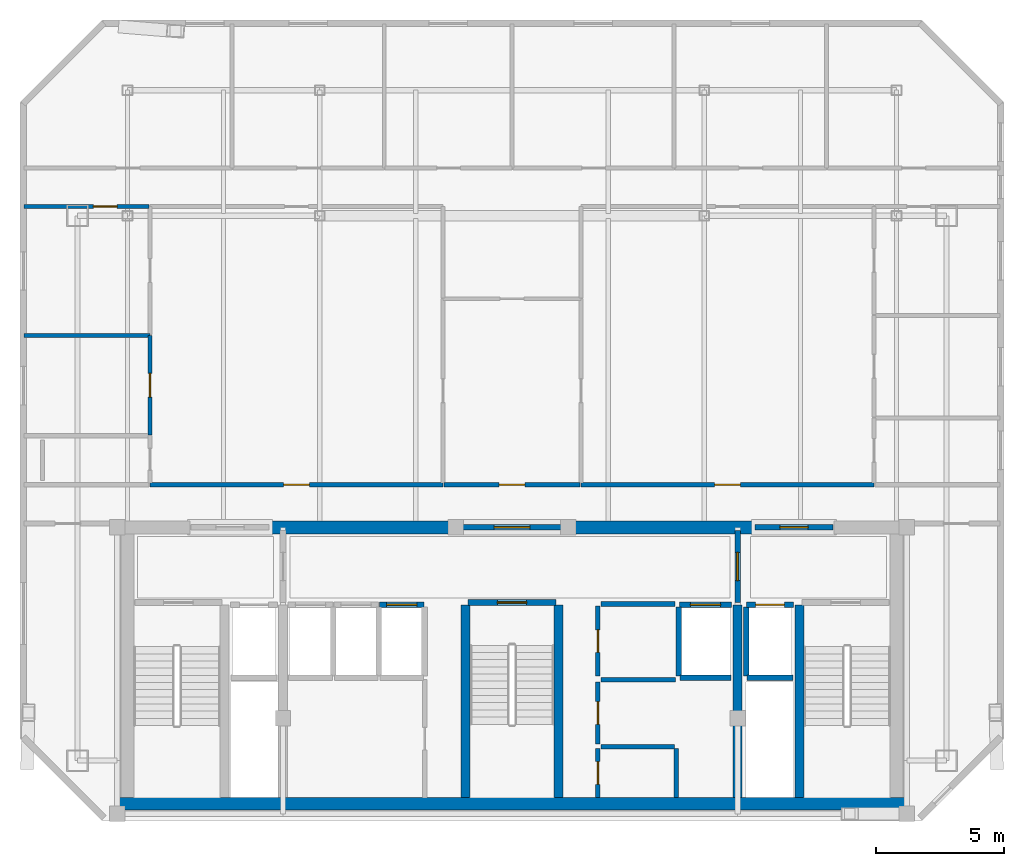
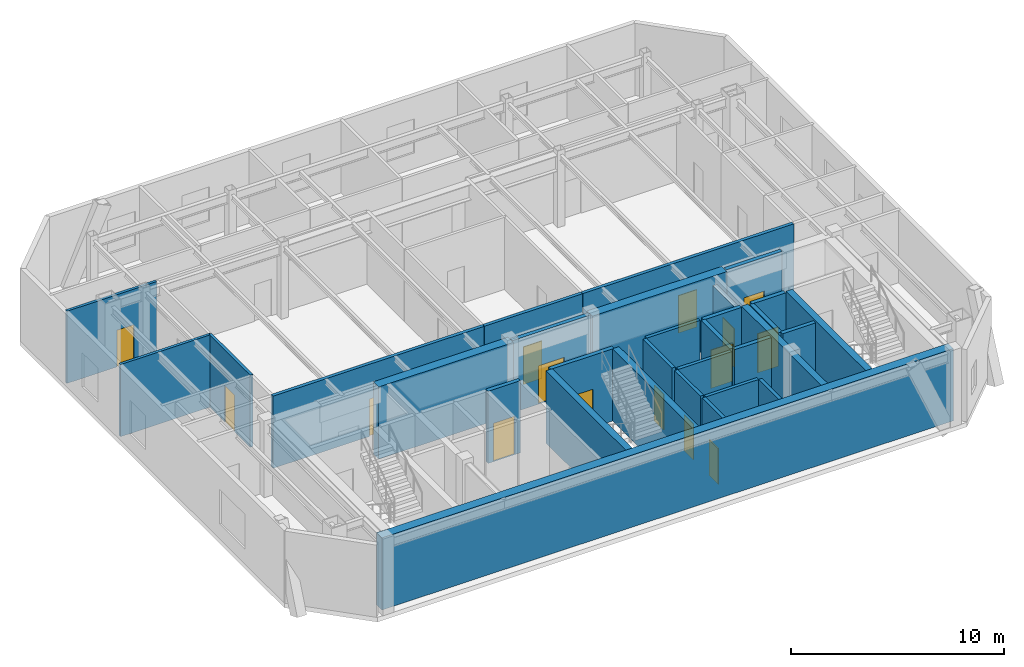
# One storey, part 3 of 6: 31 walls, 15 doors, 15 openings.
"""IFC4 building model written with IfcOpenShell, lengths in metres."""

from ifc_helpers import new_model, si_unit, direction, frame, frame_2d, origin, place, context, subcontext, project, spatial, rectangle, extrude, material, layer, layer_set, type_object, element, fill, save


model = new_model("IFC4")

# Units and contexts
model_context = context("Model", 3, precision=1e-05, world=origin(), true_north=direction((0.0, 1.0)))
body_context = subcontext(model_context, "Body", "Model", "MODEL_VIEW")
ifc_project = project(units=[si_unit("LENGTHUNIT", "METRE"), si_unit("AREAUNIT", "SQUARE_METRE"), si_unit("VOLUMEUNIT", "CUBIC_METRE"), si_unit("PLANEANGLEUNIT", "RADIAN"), si_unit("MASSUNIT", "GRAM", prefix="KILO")], contexts=[model_context])

# Site, building, storey
site_placement = place(None, origin())
site = spatial("IfcSite", under=ifc_project, at=site_placement, CompositionType="ELEMENT")
building_placement = place(site_placement, origin())
building = spatial("IfcBuilding", under=site, at=building_placement, Name="Ventersveld Concourse Tower", CompositionType="ELEMENT")
storey_placement = place(building_placement, frame((0.0, 0.0, 349.050048828125)))
storey = spatial("IfcBuildingStorey", under=building, at=storey_placement, Name="L86", CompositionType="ELEMENT", Elevation=349.050048828125)

# Walls
ifc_material_1 = material(Name="Concrete C50/60", Category="concrete")
ifc_layer_1 = layer(ifc_material_1, 0.35009765625)
ifc_layer_set_1 = layer_set([ifc_layer_1], Name="Concrete C50/60")
wall_type_1 = type_object("IfcWallType", Name="WL-CORE-350U", PredefinedType="SHEAR", material=ifc_layer_set_1)
for number, where, z_axis, x_axis, name in (
    (1, (26.93994140625, 0.919921875, 0.0), (0.0, 0.0, 1.0), (0.0, 1.0, 0.0), "L86 Core Internal Shear Web W-ST3-W"),
    (2, (30.56005859375, 0.919921875, 0.0), (0.0, 0.0, 1.0), (0.0, 1.0, 0.0), "L86 Core Internal Shear Web W-ST3-E"),
    (3, (37.550048828125, 0.919921875, 0.0), (0.0, 0.0, 1.0), (0.0, 1.0, 0.0), "L86 Core Internal Shear Web W-SVL-W"),
    (4, (39.9599609375, 0.919921875, 0.0), (0.0, 0.0, 1.0), (0.0, 1.0, 0.0), "L86 Core Internal Shear Web W-ST2-W"),
):
    element("IfcWall", number, at=place(storey_placement, frame(where, z_axis=z_axis, x_axis=x_axis)), inside=storey, type_object=wall_type_1, Name=name, PredefinedType="SHEAR", context=body_context, shape_type="SweptSolid", body=[
        extrude(rectangle(XDim=7.5, YDim=0.35009765625, at=frame_2d((3.75, 0.0))), origin(), (0.0, 0.0, 1.0), 4.139892578125),
    ])
ifc_layer_2 = layer(ifc_material_1, 0.5)
ifc_layer_set_2 = layer_set([ifc_layer_2], Name="Concrete C50/60")
wall_type_2 = type_object("IfcWallType", Name="WL-CORE-500", PredefinedType="SHEAR", material=ifc_layer_set_2)
wall_1_placement = place(storey_placement, frame((13.25, 0.669921875, 0.0), z_axis=(0.0, 0.0, 1.0), x_axis=(1.0, 0.0, 0.0)))
element("IfcWall", 5, at=wall_1_placement, inside=storey, type_object=wall_type_2, Name="L86 Rear Core South Shear Wall", PredefinedType="SHEAR", context=body_context, shape_type="SweptSolid", body=[
    extrude(rectangle(XDim=31.0, YDim=0.5, at=frame_2d((15.5, 0.0))), origin(), (0.0, 0.0, 1.0), 4.139892578125),
])
for number, where, z_axis, x_axis, name in (
    (6, (19.300048828125, 11.449951171875, 0.0), (0.0, 0.0, 1.0), (1.0, 0.0, 0.0), "L86 Rear Core North Shear Wall NML"),
    (7, (30.89990234375, 11.449951171875, 0.0), (0.0, 0.0, 1.0), (1.0, 0.0, 0.0), "L86 Rear Core North Shear Wall NMR"),
):
    element("IfcWall", number, at=place(storey_placement, frame(where, z_axis=z_axis, x_axis=x_axis)), inside=storey, type_object=wall_type_2, Name=name, PredefinedType="SHEAR", context=body_context, shape_type="SweptSolid", body=[
        extrude(rectangle(XDim=7.300048828125, YDim=0.5, at=frame_2d((3.64990234375, 0.0))), origin(), (0.0, 0.0, 1.0), 4.139892578125),
    ])

# Wall, opening, door
ifc_material_2 = material(Name="Fire-rated autoclaved aerated masonry blockwork", Category="masonry")
ifc_layer_3 = layer(ifc_material_2, 0.179931640625)
ifc_layer_set_3 = layer_set([ifc_layer_3], Name="Fire-rated autoclaved aerated masonry blockwork")
wall_type_3 = type_object("IfcWallType", Name="WL-CORR-180", PredefinedType="PARTITIONING", material=ifc_layer_set_3)
wall_2_placement = place(storey_placement, frame((32.10009765625, 0.919921875, 0.0), z_axis=(0.0, 0.0, 1.0), x_axis=(0.0, 1.0, 0.0)))
wall_2 = element("IfcWall", 8, at=wall_2_placement, inside=storey, type_object=wall_type_3, Name="L86 Core Passage Wall SP-L86-RECB2S", PredefinedType="PARTITIONING", context=body_context, shape_type="SweptSolid", body=[
    extrude(rectangle(XDim=1.900146484375, YDim=0.179931640625, at=frame_2d((0.9501953125, 0.0))), origin(), (0.0, 0.0, 1.0), 4.139892578125),
])
opening_1_placement = place(wall_2_placement, frame((0.510009765625, 0.0, 0.0)))
opening_1 = element("IfcOpeningElement", 9, at=opening_1_placement, cuts=wall_2, Name="Opening FD5", PredefinedType="OPENING", context=body_context, shape_type="SweptSolid", body=[
    extrude(rectangle(XDim=0.8798828125, YDim=2.050048828125, at=frame_2d((0.43994140625, 1.02490234375))), frame((0.0, 0.10009765625, 0.0), z_axis=(0.0, -1.0, 0.0), x_axis=(1.0, 0.0, 0.0)), (0.0, 0.0, 1.0), 0.199951171875),
])
ifc_material_3 = material(Name="Galvanised painted steel", Category="steel")
door_type_1 = type_object("IfcDoorType", Name="DR-RISER-088", OperationType="NOTDEFINED", PredefinedType="DOOR", material=ifc_material_3)
door_1_placement = place(opening_1_placement, origin())
door_1 = element("IfcDoor", 10, at=door_1_placement, inside=storey, type_object=door_type_1, Name="L86 Core Room Door L86 Reclaimed Core Archive Store (CD-L86-3837)", OperationType="SINGLE_SWING_RIGHT", OverallHeight=2.050048828125, OverallWidth=0.8798828125, PredefinedType="DOOR", context=body_context, shape_type="SweptSolid", body=[
    extrude(rectangle(XDim=0.8798828125, YDim=2.050048828125, at=frame_2d((0.43994140625, 1.02490234375))), frame((0.0, 0.02490234375, 0.0), z_axis=(0.0, -1.0, 0.0), x_axis=(1.0, 0.0, 0.0)), (0.0, 0.0, 1.0), 0.050048828125),
])
fill(opening_1, door_1)

# Walls
wall_3_placement = place(storey_placement, frame((32.219970703125, 2.89990234375, 0.0), z_axis=(0.0, 0.0, 1.0), x_axis=(1.0, 0.0, 0.0)))
element("IfcWall", 11, at=wall_3_placement, inside=storey, type_object=wall_type_3, Name="L86 Core Top Wall SP-L86-RECB2S", PredefinedType="PARTITIONING", context=body_context, shape_type="SweptSolid", body=[
    extrude(rectangle(XDim=2.860107421875, YDim=0.179931640625, at=frame_2d((1.43017578125, 0.0))), origin(), (0.0, 0.0, 1.0), 4.139892578125),
])
wall_4_placement = place(storey_placement, frame((35.159912109375, 0.919921875, 0.0), z_axis=(0.0, 0.0, 1.0), x_axis=(0.0, 1.0, 0.0)))
element("IfcWall", 12, at=wall_4_placement, inside=storey, type_object=wall_type_3, Name="L86 Core East Wall SP-L86-RECB2S", PredefinedType="PARTITIONING", context=body_context, shape_type="SweptSolid", body=[
    extrude(rectangle(XDim=1.900146484375, YDim=0.179931640625, at=frame_2d((0.9501953125, 0.0))), origin(), (0.0, 0.0, 1.0), 4.139892578125),
])

# Wall, opening, door
wall_5_placement = place(storey_placement, frame((32.10009765625, 3.0, 0.0), z_axis=(0.0, 0.0, 1.0), x_axis=(0.0, 1.0, 0.0)))
wall_5 = element("IfcWall", 13, at=wall_5_placement, inside=storey, type_object=wall_type_3, Name="L86 Core Passage Wall SP-L86-RECB2N", PredefinedType="PARTITIONING", context=body_context, shape_type="SweptSolid", body=[
    extrude(rectangle(XDim=2.419921875, YDim=0.179931640625, at=frame_2d((1.2099609375, 0.0))), origin(), (0.0, 0.0, 1.0), 4.139892578125),
])
opening_2_placement = place(wall_5_placement, frame((0.77001953125, 0.0, 0.0)))
opening_2 = element("IfcOpeningElement", 14, at=opening_2_placement, cuts=wall_5, Name="Opening FD5", PredefinedType="OPENING", context=body_context, shape_type="SweptSolid", body=[
    extrude(rectangle(XDim=0.8798828125, YDim=2.050048828125, at=frame_2d((0.43994140625, 1.02490234375))), frame((0.0, 0.10009765625, 0.0), z_axis=(0.0, -1.0, 0.0), x_axis=(1.0, 0.0, 0.0)), (0.0, 0.0, 1.0), 0.199951171875),
])
door_2_placement = place(opening_2_placement, origin())
door_2 = element("IfcDoor", 15, at=door_2_placement, inside=storey, type_object=door_type_1, Name="L86 Core Room Door L86 Reclaimed Core Housekeeping Room (CD-L86-3838)", OperationType="SINGLE_SWING_LEFT", OverallHeight=2.050048828125, OverallWidth=0.8798828125, PredefinedType="DOOR", context=body_context, shape_type="SweptSolid", body=[
    extrude(rectangle(XDim=0.8798828125, YDim=2.050048828125, at=frame_2d((0.43994140625, 1.02490234375))), frame((0.0, 0.02490234375, 0.0), z_axis=(0.0, -1.0, 0.0), x_axis=(1.0, 0.0, 0.0)), (0.0, 0.0, 1.0), 0.050048828125),
])
fill(opening_2, door_2)

# Wall
wall_6_placement = place(storey_placement, frame((32.219970703125, 5.5, 0.0), z_axis=(0.0, 0.0, 1.0), x_axis=(1.0, 0.0, 0.0)))
element("IfcWall", 16, at=wall_6_placement, inside=storey, type_object=wall_type_3, Name="L86 Core Top Wall SP-L86-RECB2N", PredefinedType="PARTITIONING", context=body_context, shape_type="SweptSolid", body=[
    extrude(rectangle(XDim=2.900146484375, YDim=0.179931640625, at=frame_2d((1.4501953125, 0.0))), origin(), (0.0, 0.0, 1.0), 4.139892578125),
])

# Wall, opening, door
wall_7_placement = place(storey_placement, frame((32.10009765625, 5.64990234375, 0.0), z_axis=(0.0, 0.0, 1.0), x_axis=(0.0, 1.0, 0.0)))
wall_7 = element("IfcWall", 17, at=wall_7_placement, inside=storey, type_object=wall_type_3, Name="L86 Core Passage Wall SP-L86-CBAY1", PredefinedType="PARTITIONING", context=body_context, shape_type="SweptSolid", body=[
    extrude(rectangle(XDim=2.72998046875, YDim=0.179931640625, at=frame_2d((1.364990234375, 0.0))), origin(), (0.0, 0.0, 1.0), 4.139892578125),
])
opening_3_placement = place(wall_7_placement, frame((0.925048828125, 0.0, 0.0)))
opening_3 = element("IfcOpeningElement", 18, at=opening_3_placement, cuts=wall_7, Name="Opening FD5", PredefinedType="OPENING", context=body_context, shape_type="SweptSolid", body=[
    extrude(rectangle(XDim=0.8798828125, YDim=2.050048828125, at=frame_2d((0.43994140625, 1.02490234375))), frame((0.0, 0.10009765625, 0.0), z_axis=(0.0, -1.0, 0.0), x_axis=(1.0, 0.0, 0.0)), (0.0, 0.0, 1.0), 0.199951171875),
])
door_3_placement = place(opening_3_placement, origin())
door_3 = element("IfcDoor", 19, at=door_3_placement, inside=storey, type_object=door_type_1, Name="L86 Core Room Door L86 Core Parcel Store (CD-L86-3839)", OperationType="SINGLE_SWING_RIGHT", OverallHeight=2.050048828125, OverallWidth=0.8798828125, PredefinedType="DOOR", context=body_context, shape_type="SweptSolid", body=[
    extrude(rectangle(XDim=0.8798828125, YDim=2.050048828125, at=frame_2d((0.43994140625, 1.02490234375))), frame((0.0, 0.02490234375, 0.0), z_axis=(0.0, -1.0, 0.0), x_axis=(1.0, 0.0, 0.0)), (0.0, 0.0, 1.0), 0.050048828125),
])
fill(opening_3, door_3)

# Wall
wall_8_placement = place(storey_placement, frame((32.219970703125, 8.4599609375, 0.0), z_axis=(0.0, 0.0, 1.0), x_axis=(1.0, 0.0, 0.0)))
element("IfcWall", 20, at=wall_8_placement, inside=storey, type_object=wall_type_3, Name="L86 Core Top Wall SP-L86-CBAY1", PredefinedType="PARTITIONING", context=body_context, shape_type="SweptSolid", body=[
    extrude(rectangle(XDim=2.880126953125, YDim=0.179931640625, at=frame_2d((1.43994140625, 0.0))), origin(), (0.0, 0.0, 1.0), 4.139892578125),
])

# Wall, opening, door
wall_9_placement = place(storey_placement, frame((14.626708984375, 13.114990234375, 0.0), z_axis=(0.0, 0.0, 1.0), x_axis=(1.0, 0.0, 0.0)))
wall_9 = element("IfcWall", 21, at=wall_9_placement, inside=storey, type_object=wall_type_3, Name="L86 Interior Partition SP-L86-COR-SP-L86-86N1-WGAL1", PredefinedType="PARTITIONING", context=body_context, shape_type="SweptSolid", body=[
    extrude(rectangle(XDim=11.438232421875, YDim=0.179931640625, at=frame_2d((5.71923828125, 0.0))), origin(), (0.0, 0.0, 1.0), 4.139892578125),
])
opening_4_placement = place(wall_9_placement, frame((5.21923828125, 0.0, 0.0)))
opening_4 = element("IfcOpeningElement", 22, at=opening_4_placement, cuts=wall_9, Name="Opening FD3", PredefinedType="OPENING", context=body_context, shape_type="SweptSolid", body=[
    extrude(rectangle(XDim=1.0, YDim=2.14990234375, at=frame_2d((0.5, 1.074951171875))), frame((0.0, 0.10009765625, 0.0), z_axis=(0.0, -1.0, 0.0), x_axis=(1.0, 0.0, 0.0)), (0.0, 0.0, 1.0), 0.199951171875),
])
ifc_material_4 = material(Name="Solid-core hardwood veneer timber", Category="wood")
door_type_2 = type_object("IfcDoorType", Name="DR-FLAT-100", OperationType="NOTDEFINED", PredefinedType="DOOR", material=ifc_material_4)
door_4_placement = place(opening_4_placement, origin())
door_4 = element("IfcDoor", 23, at=door_4_placement, inside=storey, type_object=door_type_2, Name="L86 Interior Door SP-L86-COR to SP-L86-86N1-WGAL1 (FD-L86-3842)", OperationType="SINGLE_SWING_RIGHT", OverallHeight=2.14990234375, OverallWidth=1.0, PredefinedType="DOOR", context=body_context, shape_type="SweptSolid", body=[
    extrude(rectangle(XDim=1.0, YDim=2.14990234375, at=frame_2d((0.5, 1.074951171875))), frame((0.0, 0.02490234375, 0.0), z_axis=(0.0, -1.0, 0.0), x_axis=(1.0, 0.0, 0.0)), (0.0, 0.0, 1.0), 0.050048828125),
])
fill(opening_4, door_4)

wall_10_placement = place(storey_placement, frame((31.43505859375, 13.114990234375, 0.0), z_axis=(0.0, 0.0, 1.0), x_axis=(1.0, 0.0, 0.0)))
wall_10 = element("IfcWall", 24, at=wall_10_placement, inside=storey, type_object=wall_type_3, Name="L86 Interior Partition SP-L86-COR-SP-L86-86N1-EGAL1", PredefinedType="PARTITIONING", context=body_context, shape_type="SweptSolid", body=[
    extrude(rectangle(XDim=11.438232421875, YDim=0.179931640625, at=frame_2d((5.71923828125, 0.0))), origin(), (0.0, 0.0, 1.0), 4.139892578125),
])
opening_5_placement = place(wall_10_placement, frame((5.21923828125, 0.0, 0.0)))
opening_5 = element("IfcOpeningElement", 25, at=opening_5_placement, cuts=wall_10, Name="Opening FD3", PredefinedType="OPENING", context=body_context, shape_type="SweptSolid", body=[
    extrude(rectangle(XDim=1.0, YDim=2.14990234375, at=frame_2d((0.5, 1.074951171875))), frame((0.0, 0.10009765625, 0.0), z_axis=(0.0, -1.0, 0.0), x_axis=(1.0, 0.0, 0.0)), (0.0, 0.0, 1.0), 0.199951171875),
])
door_5_placement = place(opening_5_placement, origin())
door_5 = element("IfcDoor", 26, at=door_5_placement, inside=storey, type_object=door_type_2, Name="L86 Interior Door SP-L86-COR to SP-L86-86N1-EGAL1 (FD-L86-3843)", OperationType="SINGLE_SWING_LEFT", OverallHeight=2.14990234375, OverallWidth=1.0, PredefinedType="DOOR", context=body_context, shape_type="SweptSolid", body=[
    extrude(rectangle(XDim=1.0, YDim=2.14990234375, at=frame_2d((0.5, 1.074951171875))), frame((0.0, 0.02490234375, 0.0), z_axis=(0.0, -1.0, 0.0), x_axis=(1.0, 0.0, 0.0)), (0.0, 0.0, 1.0), 0.050048828125),
])
fill(opening_5, door_5)

wall_11_placement = place(storey_placement, frame((26.094970703125, 13.114990234375, 0.0), z_axis=(0.0, 0.0, 1.0), x_axis=(1.0, 0.0, 0.0)))
wall_11 = element("IfcWall", 27, at=wall_11_placement, inside=storey, type_object=wall_type_3, Name="L86 Interior Partition SP-L86-COR-SP-L86-86N1-FOY", PredefinedType="PARTITIONING", context=body_context, shape_type="SweptSolid", body=[
    extrude(rectangle(XDim=5.31005859375, YDim=0.179931640625, at=frame_2d((2.655029296875, 0.0))), origin(), (0.0, 0.0, 1.0), 4.139892578125),
])
opening_6_placement = place(wall_11_placement, frame((2.155029296875, 0.0, 0.0)))
opening_6 = element("IfcOpeningElement", 28, at=opening_6_placement, cuts=wall_11, Name="Opening FD3", PredefinedType="OPENING", context=body_context, shape_type="SweptSolid", body=[
    extrude(rectangle(XDim=1.0, YDim=2.14990234375, at=frame_2d((0.5, 1.074951171875))), frame((0.0, 0.10009765625, 0.0), z_axis=(0.0, -1.0, 0.0), x_axis=(1.0, 0.0, 0.0)), (0.0, 0.0, 1.0), 0.199951171875),
])
door_6_placement = place(opening_6_placement, origin())
door_6 = element("IfcDoor", 29, at=door_6_placement, inside=storey, type_object=door_type_2, Name="L86 Interior Door SP-L86-COR to SP-L86-86N1-FOY (FD-L86-3844)", OperationType="SINGLE_SWING_RIGHT", OverallHeight=2.14990234375, OverallWidth=1.0, PredefinedType="DOOR", context=body_context, shape_type="SweptSolid", body=[
    extrude(rectangle(XDim=1.0, YDim=2.14990234375, at=frame_2d((0.5, 1.074951171875))), frame((0.0, 0.02490234375, 0.0), z_axis=(0.0, -1.0, 0.0), x_axis=(1.0, 0.0, 0.0)), (0.0, 0.0, 1.0), 0.050048828125),
])
fill(opening_6, door_6)

# Walls
ifc_layer_4 = layer(ifc_material_2, 0.219970703125)
ifc_layer_set_4 = layer_set([ifc_layer_4], Name="Fire-rated autoclaved aerated masonry blockwork")
wall_type_4 = type_object("IfcWallType", Name="WL-HOIST-220", PredefinedType="SOLIDWALL", material=ifc_layer_set_4)
wall_12_placement = place(storey_placement, frame((37.919921875, 5.590087890625, 0.0), z_axis=(0.0, 0.0, 1.0), x_axis=(1.0, 0.0, 0.0)))
element("IfcWall", 30, at=wall_12_placement, inside=storey, type_object=wall_type_4, Name="L86 Lift Hoistway Back Wall FFL-02", PredefinedType="SOLIDWALL", context=body_context, shape_type="SweptSolid", body=[
    extrude(rectangle(XDim=1.780029296875, YDim=0.219970703125, at=frame_2d((0.89013671875, 0.0))), origin(), (0.0, 0.0, 1.0), 4.139892578125),
])
wall_13_placement = place(storey_placement, frame((37.8798828125, 5.64990234375, 0.0), z_axis=(0.0, 0.0, 1.0), x_axis=(0.0, 1.0, 0.0)))
element("IfcWall", 31, at=wall_13_placement, inside=storey, type_object=wall_type_4, Name="L86 Lift Hoistway Side Wall FFL-02W", PredefinedType="SOLIDWALL", context=body_context, shape_type="SweptSolid", body=[
    extrude(rectangle(XDim=2.7001953125, YDim=0.219970703125, at=frame_2d((1.35009765625, 0.0))), origin(), (0.0, 0.0, 1.0), 4.139892578125),
])

# Wall, opening, door
wall_14_placement = place(storey_placement, frame((37.89990234375, 8.429931640625, 0.0), z_axis=(0.0, 0.0, 1.0), x_axis=(1.0, 0.0, 0.0)))
wall_14 = element("IfcWall", 32, at=wall_14_placement, inside=storey, type_object=wall_type_4, Name="L86 Lift Hoistway Front Wall FFL-02", PredefinedType="SOLIDWALL", context=body_context, shape_type="SweptSolid", body=[
    extrude(rectangle(XDim=1.820068359375, YDim=0.219970703125, at=frame_2d((0.91015625, 0.0))), origin(), (0.0, 0.0, 1.0), 4.139892578125),
])
opening_7_placement = place(wall_14_placement, frame((0.35009765625, 0.0, 0.0)))
opening_7 = element("IfcOpeningElement", 33, at=opening_7_placement, cuts=wall_14, Name="Opening LD1", PredefinedType="OPENING", context=body_context, shape_type="SweptSolid", body=[
    extrude(rectangle(XDim=1.1201171875, YDim=2.25, at=frame_2d((0.56005859375, 1.125))), frame((0.0, 0.1201171875, 0.0), z_axis=(0.0, -1.0, 0.0), x_axis=(1.0, 0.0, 0.0)), (0.0, 0.0, 1.0), 0.239990234375),
])
ifc_material_5 = material(Name="Brushed stainless steel 316", Category="steel")
door_type_3 = type_object("IfcDoorType", Name="LD-FF-112", OperationType="SLIDING_TO_LEFT", PredefinedType="DOOR", material=ifc_material_5)
door_7_placement = place(opening_7_placement, origin())
door_7 = element("IfcDoor", 34, at=door_7_placement, inside=storey, type_object=door_type_3, Name="L86 Lift landing door FFL-02 (LD-L86-FFL-02)", OperationType="SLIDING_TO_LEFT", OverallHeight=2.25, OverallWidth=1.1201171875, PredefinedType="DOOR", context=body_context, shape_type="SweptSolid", body=[
    extrude(rectangle(XDim=1.1201171875, YDim=2.25, at=frame_2d((0.56005859375, 1.125))), frame((0.0, 0.02490234375, 0.0), z_axis=(0.0, -1.0, 0.0), x_axis=(1.0, 0.0, 0.0)), (0.0, 0.0, 1.0), 0.050048828125),
])
fill(opening_7, door_7)

# Walls
wall_15_placement = place(storey_placement, frame((35.300048828125, 5.590087890625, 0.0), z_axis=(0.0, 0.0, 1.0), x_axis=(1.0, 0.0, 0.0)))
element("IfcWall", 35, at=wall_15_placement, inside=storey, type_object=wall_type_4, Name="L86 Lift Hoistway Back Wall SVL-01", PredefinedType="SOLIDWALL", context=body_context, shape_type="SweptSolid", body=[
    extrude(rectangle(XDim=2.0, YDim=0.219970703125, at=frame_2d((1.0, 0.0))), origin(), (0.0, 0.0, 1.0), 4.139892578125),
])
wall_16_placement = place(storey_placement, frame((35.260009765625, 5.64990234375, 0.0), z_axis=(0.0, 0.0, 1.0), x_axis=(0.0, 1.0, 0.0)))
element("IfcWall", 36, at=wall_16_placement, inside=storey, type_object=wall_type_4, Name="L86 Lift Hoistway Side Wall SVL-01W", PredefinedType="SOLIDWALL", context=body_context, shape_type="SweptSolid", body=[
    extrude(rectangle(XDim=2.7001953125, YDim=0.219970703125, at=frame_2d((1.35009765625, 0.0))), origin(), (0.0, 0.0, 1.0), 4.139892578125),
])

# Wall, opening, door
wall_17_placement = place(storey_placement, frame((35.280029296875, 8.429931640625, 0.0), z_axis=(0.0, 0.0, 1.0), x_axis=(1.0, 0.0, 0.0)))
wall_17 = element("IfcWall", 37, at=wall_17_placement, inside=storey, type_object=wall_type_4, Name="L86 Lift Hoistway Front Wall SVL-01", PredefinedType="SOLIDWALL", context=body_context, shape_type="SweptSolid", body=[
    extrude(rectangle(XDim=2.0400390625, YDim=0.219970703125, at=frame_2d((1.02001953125, 0.0))), origin(), (0.0, 0.0, 1.0), 4.139892578125),
])
opening_8_placement = place(wall_17_placement, frame((0.429931640625, 0.0, 0.0)))
opening_8 = element("IfcOpeningElement", 38, at=opening_8_placement, cuts=wall_17, Name="Opening LD2", PredefinedType="OPENING", context=body_context, shape_type="SweptSolid", body=[
    extrude(rectangle(XDim=1.179931640625, YDim=2.199951171875, at=frame_2d((0.58984375, 1.10009765625))), frame((0.0, 0.1201171875, 0.0), z_axis=(0.0, -1.0, 0.0), x_axis=(1.0, 0.0, 0.0)), (0.0, 0.0, 1.0), 0.239990234375),
])
door_type_4 = type_object("IfcDoorType", Name="LD-PAX-118", OperationType="SLIDING_TO_LEFT", PredefinedType="DOOR", material=ifc_material_5)
door_8_placement = place(opening_8_placement, origin())
door_8 = element("IfcDoor", 39, at=door_8_placement, inside=storey, type_object=door_type_4, Name="L86 Lift landing door SVL-01 (LD-L86-SVL-01)", OperationType="SLIDING_TO_RIGHT", OverallHeight=2.199951171875, OverallWidth=1.179931640625, PredefinedType="DOOR", context=body_context, shape_type="SweptSolid", body=[
    extrude(rectangle(XDim=1.179931640625, YDim=2.199951171875, at=frame_2d((0.58984375, 1.10009765625))), frame((0.0, 0.02490234375, 0.0), z_axis=(0.0, -1.0, 0.0), x_axis=(1.0, 0.0, 0.0)), (0.0, 0.0, 1.0), 0.050048828125),
])
fill(opening_8, door_8)

wall_18_placement = place(storey_placement, frame((23.580078125, 8.429931640625, 0.0), z_axis=(0.0, 0.0, 1.0), x_axis=(1.0, 0.0, 0.0)))
wall_18 = element("IfcWall", 40, at=wall_18_placement, inside=storey, type_object=wall_type_4, Name="L86 Lift Hoistway Front Wall PH-03", PredefinedType="SOLIDWALL", context=body_context, shape_type="SweptSolid", body=[
    extrude(rectangle(XDim=1.739990234375, YDim=0.219970703125, at=frame_2d((0.8701171875, 0.0))), origin(), (0.0, 0.0, 1.0), 4.139892578125),
])
opening_9_placement = place(wall_18_placement, frame((0.280029296875, 0.0, 0.0)))
opening_9 = element("IfcOpeningElement", 41, at=opening_9_placement, cuts=wall_18, Name="Opening LD2", PredefinedType="OPENING", context=body_context, shape_type="SweptSolid", body=[
    extrude(rectangle(XDim=1.179931640625, YDim=2.199951171875, at=frame_2d((0.58984375, 1.10009765625))), frame((0.0, 0.1201171875, 0.0), z_axis=(0.0, -1.0, 0.0), x_axis=(1.0, 0.0, 0.0)), (0.0, 0.0, 1.0), 0.239990234375),
])
door_9_placement = place(opening_9_placement, origin())
door_9 = element("IfcDoor", 42, at=door_9_placement, inside=storey, type_object=door_type_4, Name="L86 Lift landing door PH-03 (LD-L86-PH-03)", OperationType="SLIDING_TO_LEFT", OverallHeight=2.199951171875, OverallWidth=1.179931640625, PredefinedType="DOOR", context=body_context, shape_type="SweptSolid", body=[
    extrude(rectangle(XDim=1.179931640625, YDim=2.199951171875, at=frame_2d((0.58984375, 1.10009765625))), frame((0.0, 0.02490234375, 0.0), z_axis=(0.0, -1.0, 0.0), x_axis=(1.0, 0.0, 0.0)), (0.0, 0.0, 1.0), 0.050048828125),
])
fill(opening_9, door_9)

wall_19_placement = place(storey_placement, frame((27.0400390625, 8.52001953125, 0.0), z_axis=(0.0, 0.0, 1.0), x_axis=(1.0, 0.0, 0.0)))
wall_19 = element("IfcWall", 43, at=wall_19_placement, inside=storey, type_object=wall_type_4, Name="L86 Escape Stair ST03 Fire Wall", PredefinedType="SOLIDWALL", context=body_context, shape_type="SweptSolid", body=[
    extrude(rectangle(XDim=3.419921875, YDim=0.219970703125, at=frame_2d((1.7099609375, 0.0))), origin(), (0.0, 0.0, 1.0), 4.139892578125),
])
opening_10_placement = place(wall_19_placement, frame((1.135009765625, 0.0, 0.0)))
opening_10 = element("IfcOpeningElement", 44, at=opening_10_placement, cuts=wall_19, Name="Opening FD1", PredefinedType="OPENING", context=body_context, shape_type="SweptSolid", body=[
    extrude(rectangle(XDim=1.14990234375, YDim=2.199951171875, at=frame_2d((0.574951171875, 1.10009765625))), frame((0.0, 0.1201171875, 0.0), z_axis=(0.0, -1.0, 0.0), x_axis=(1.0, 0.0, 0.0)), (0.0, 0.0, 1.0), 0.239990234375),
])
door_type_5 = type_object("IfcDoorType", Name="DR-STAIR-115", OperationType="NOTDEFINED", PredefinedType="DOOR", material=ifc_material_3)
door_10_placement = place(opening_10_placement, origin())
door_10 = element("IfcDoor", 45, at=door_10_placement, inside=storey, type_object=door_type_5, Name="L86 Escape Stair Door ST03 (SD-L86-3830)", OperationType="SINGLE_SWING_LEFT", OverallHeight=2.199951171875, OverallWidth=1.14990234375, PredefinedType="DOOR", context=body_context, shape_type="SweptSolid", body=[
    extrude(rectangle(XDim=1.14990234375, YDim=2.199951171875, at=frame_2d((0.574951171875, 1.10009765625))), frame((0.0, 0.02490234375, 0.0), z_axis=(0.0, -1.0, 0.0), x_axis=(1.0, 0.0, 0.0)), (0.0, 0.0, 1.0), 0.050048828125),
])
fill(opening_10, door_10)

wall_20_placement = place(storey_placement, frame((37.550048828125, 8.52001953125, 0.0), z_axis=(0.0, 0.0, 1.0), x_axis=(0.0, 1.0, 0.0)))
wall_20 = element("IfcWall", 46, at=wall_20_placement, inside=storey, type_object=wall_type_4, Name="L86 Firefighting Lobby Smoke-Stop Wall FFLE-SEP", PredefinedType="SOLIDWALL", context=body_context, shape_type="SweptSolid", body=[
    extrude(rectangle(XDim=2.800048828125, YDim=0.219970703125, at=frame_2d((1.39990234375, 0.0))), origin(), (0.0, 0.0, 1.0), 3.595458984375),
])
opening_11_placement = place(wall_20_placement, frame((0.85009765625, 0.0, 0.0)))
opening_11 = element("IfcOpeningElement", 47, at=opening_11_placement, cuts=wall_20, Name="Opening FD2", PredefinedType="OPENING", context=body_context, shape_type="SweptSolid", body=[
    extrude(rectangle(XDim=1.10009765625, YDim=2.199951171875, at=frame_2d((0.550048828125, 1.10009765625))), frame((0.0, 0.1201171875, 0.0), z_axis=(0.0, -1.0, 0.0), x_axis=(1.0, 0.0, 0.0)), (0.0, 0.0, 1.0), 0.239990234375),
])
door_type_6 = type_object("IfcDoorType", Name="DR-FFL-110", OperationType="NOTDEFINED", PredefinedType="DOOR", material=ifc_material_3)
door_11_placement = place(opening_11_placement, origin())
door_11 = element("IfcDoor", 48, at=door_11_placement, inside=storey, type_object=door_type_6, Name="L86 Firefighting Lobby Door FFLE-SEP (FD-L86-3832)", OperationType="SINGLE_SWING_RIGHT", OverallHeight=2.199951171875, OverallWidth=1.10009765625, PredefinedType="DOOR", context=body_context, shape_type="SweptSolid", body=[
    extrude(rectangle(XDim=1.10009765625, YDim=2.199951171875, at=frame_2d((0.550048828125, 1.10009765625))), frame((0.0, 0.02490234375, 0.0), z_axis=(0.0, -1.0, 0.0), x_axis=(1.0, 0.0, 0.0)), (0.0, 0.0, 1.0), 0.050048828125),
])
fill(opening_11, door_11)

wall_21_placement = place(storey_placement, frame((26.6298828125, 11.449951171875, 0.0), z_axis=(0.0, 0.0, 1.0), x_axis=(1.0, 0.0, 0.0)))
wall_21 = element("IfcWall", 49, at=wall_21_placement, inside=storey, type_object=wall_type_4, Name="L86 Core North Fire Portal PLOB-OUT", PredefinedType="SOLIDWALL", context=body_context, shape_type="SweptSolid", body=[
    extrude(rectangle(XDim=4.240234375, YDim=0.219970703125, at=frame_2d((2.1201171875, 0.0))), origin(), (0.0, 0.0, 1.0), 4.139892578125),
])
opening_12_placement = place(wall_21_placement, frame((1.419921875, 0.0, 0.0)))
opening_12 = element("IfcOpeningElement", 50, at=opening_12_placement, cuts=wall_21, Name="Opening FD4", PredefinedType="OPENING", context=body_context, shape_type="SweptSolid", body=[
    extrude(rectangle(XDim=1.39990234375, YDim=2.199951171875, at=frame_2d((0.699951171875, 1.10009765625))), frame((0.0, 0.1201171875, 0.0), z_axis=(0.0, -1.0, 0.0), x_axis=(1.0, 0.0, 0.0)), (0.0, 0.0, 1.0), 0.239990234375),
])
door_type_7 = type_object("IfcDoorType", Name="DR-PLANT-140", OperationType="DOUBLE_DOOR_SINGLE_SWING", PredefinedType="DOOR", material=ifc_material_3)
door_12_placement = place(opening_12_placement, origin())
door_12 = element("IfcDoor", 51, at=door_12_placement, inside=storey, type_object=door_type_7, Name="L86 Core Lobby Fire Door PLOB-OUT (FD-L86-3834)", OperationType="DOUBLE_DOOR_SINGLE_SWING", OverallHeight=2.199951171875, OverallWidth=1.39990234375, PredefinedType="DOOR", context=body_context, shape_type="SweptSolid", body=[
    extrude(rectangle(XDim=1.39990234375, YDim=2.199951171875, at=frame_2d((0.699951171875, 1.10009765625))), frame((0.0, 0.02490234375, 0.0), z_axis=(0.0, -1.0, 0.0), x_axis=(1.0, 0.0, 0.0)), (0.0, 0.0, 1.0), 0.050048828125),
])
fill(opening_12, door_12)

wall_22_placement = place(storey_placement, frame((38.22998046875, 11.449951171875, 0.0), z_axis=(0.0, 0.0, 1.0), x_axis=(1.0, 0.0, 0.0)))
wall_22 = element("IfcWall", 52, at=wall_22_placement, inside=storey, type_object=wall_type_4, Name="L86 Core North Fire Portal FFLE-OUT", PredefinedType="SOLIDWALL", context=body_context, shape_type="SweptSolid", body=[
    extrude(rectangle(XDim=3.0400390625, YDim=0.219970703125, at=frame_2d((1.52001953125, 0.0))), origin(), (0.0, 0.0, 1.0), 4.139892578125),
])
opening_13_placement = place(wall_22_placement, frame((0.969970703125, 0.0, 0.0)))
opening_13 = element("IfcOpeningElement", 53, at=opening_13_placement, cuts=wall_22, Name="Opening FD2", PredefinedType="OPENING", context=body_context, shape_type="SweptSolid", body=[
    extrude(rectangle(XDim=1.10009765625, YDim=2.199951171875, at=frame_2d((0.550048828125, 1.10009765625))), frame((0.0, 0.1201171875, 0.0), z_axis=(0.0, -1.0, 0.0), x_axis=(1.0, 0.0, 0.0)), (0.0, 0.0, 1.0), 0.239990234375),
])
door_13_placement = place(opening_13_placement, origin())
door_13 = element("IfcDoor", 54, at=door_13_placement, inside=storey, type_object=door_type_6, Name="L86 Core Lobby Fire Door FFLE-OUT (FD-L86-3835)", OperationType="SINGLE_SWING_LEFT", OverallHeight=2.199951171875, OverallWidth=1.10009765625, PredefinedType="DOOR", context=body_context, shape_type="SweptSolid", body=[
    extrude(rectangle(XDim=1.10009765625, YDim=2.199951171875, at=frame_2d((0.550048828125, 1.10009765625))), frame((0.0, 0.02490234375, 0.0), z_axis=(0.0, -1.0, 0.0), x_axis=(1.0, 0.0, 0.0)), (0.0, 0.0, 1.0), 0.050048828125),
])
fill(opening_13, door_13)

ifc_material_6 = material(Name="Autoclaved aerated masonry blockwork", Category="masonry")
ifc_layer_5 = layer(ifc_material_6, 0.14990234375)
ifc_layer_set_5 = layer_set([ifc_layer_5], Name="Autoclaved aerated masonry blockwork")
wall_type_5 = type_object("IfcWallType", Name="WL-INT-150", PredefinedType="PARTITIONING", material=ifc_layer_set_5)
wall_23_placement = place(storey_placement, frame((14.631591796875, 15.054931640625, 0.0), z_axis=(0.0, 0.0, 1.0), x_axis=(0.0, 1.0, 0.0)))
wall_23 = element("IfcWall", 55, at=wall_23_placement, inside=storey, type_object=wall_type_5, Name="L86 Interior Partition SP-L86-86N1-WGAL1-SP-L86-86N1-OFFL0", PredefinedType="PARTITIONING", context=body_context, shape_type="SweptSolid", body=[
    extrude(rectangle(XDim=3.876953125, YDim=0.14990234375, at=frame_2d((1.9384765625, 0.0))), origin(), (0.0, 0.0, 1.0), 4.139892578125),
])
opening_14_placement = place(wall_23_placement, frame((1.478515625, 0.0, 0.0)))
opening_14 = element("IfcOpeningElement", 56, at=opening_14_placement, cuts=wall_23, Name="Opening ID1", PredefinedType="OPENING", context=body_context, shape_type="SweptSolid", body=[
    extrude(rectangle(XDim=0.919921875, YDim=2.10009765625, at=frame_2d((0.4599609375, 1.050048828125))), frame((0.0, 0.0849609375, 0.0), z_axis=(0.0, -1.0, 0.0), x_axis=(1.0, 0.0, 0.0)), (0.0, 0.0, 1.0), 0.169921875),
])
door_type_8 = type_object("IfcDoorType", Name="DR-ROOM-092", OperationType="NOTDEFINED", PredefinedType="DOOR", material=ifc_material_4)
door_14_placement = place(opening_14_placement, origin())
door_14 = element("IfcDoor", 57, at=door_14_placement, inside=storey, type_object=door_type_8, Name="L86 Interior Door SP-L86-86N1-WGAL1 to SP-L86-86N1-OFFL0 (D-L86-3848)", OperationType="SINGLE_SWING_RIGHT", OverallHeight=2.10009765625, OverallWidth=0.919921875, PredefinedType="DOOR", context=body_context, shape_type="SweptSolid", body=[
    extrude(rectangle(XDim=0.919921875, YDim=2.10009765625, at=frame_2d((0.4599609375, 1.050048828125))), frame((0.0, 0.02490234375, 0.0), z_axis=(0.0, -1.0, 0.0), x_axis=(1.0, 0.0, 0.0)), (0.0, 0.0, 1.0), 0.050048828125),
])
fill(opening_14, door_14)

wall_24_placement = place(storey_placement, frame((9.711181640625, 23.966796875, 0.0), z_axis=(0.0, 0.0, 1.0), x_axis=(1.0, 0.0, 0.0)))
wall_24 = element("IfcWall", 58, at=wall_24_placement, inside=storey, type_object=wall_type_5, Name="L86 Interior Partition SP-L86-86N1-LIV-SP-L86-86N1-MEDL2", PredefinedType="PARTITIONING", context=body_context, shape_type="SweptSolid", body=[
    extrude(rectangle(XDim=4.885498046875, YDim=0.14990234375, at=frame_2d((2.44287109375, 0.0))), origin(), (0.0, 0.0, 1.0), 4.139892578125),
])
opening_15_placement = place(wall_24_placement, frame((2.715576171875, 0.0, 0.0)))
opening_15 = element("IfcOpeningElement", 59, at=opening_15_placement, cuts=wall_24, Name="Opening ID1", PredefinedType="OPENING", context=body_context, shape_type="SweptSolid", body=[
    extrude(rectangle(XDim=0.919921875, YDim=2.10009765625, at=frame_2d((0.4599609375, 1.050048828125))), frame((0.0, 0.0849609375, 0.0), z_axis=(0.0, -1.0, 0.0), x_axis=(1.0, 0.0, 0.0)), (0.0, 0.0, 1.0), 0.169921875),
])
door_15_placement = place(opening_15_placement, origin())
door_15 = element("IfcDoor", 60, at=door_15_placement, inside=storey, type_object=door_type_8, Name="L86 Interior Door SP-L86-86N1-LIV to SP-L86-86N1-MEDL2 (D-L86-3856)", OperationType="SINGLE_SWING_RIGHT", OverallHeight=2.10009765625, OverallWidth=0.919921875, PredefinedType="DOOR", context=body_context, shape_type="SweptSolid", body=[
    extrude(rectangle(XDim=0.919921875, YDim=2.10009765625, at=frame_2d((0.4599609375, 1.050048828125))), frame((0.0, 0.02490234375, 0.0), z_axis=(0.0, -1.0, 0.0), x_axis=(1.0, 0.0, 0.0)), (0.0, 0.0, 1.0), 0.050048828125),
])
fill(opening_15, door_15)

# Wall
wall_25_placement = place(storey_placement, frame((9.711181640625, 18.927001953125, 0.0), z_axis=(0.0, 0.0, 1.0), x_axis=(1.0, 0.0, 0.0)))
element("IfcWall", 61, at=wall_25_placement, inside=storey, type_object=wall_type_5, Name="L86 Interior Partition SP-L86-86N1-OFFL0-SP-L86-86N1-MEDL2", PredefinedType="PARTITIONING", context=body_context, shape_type="SweptSolid", body=[
    extrude(rectangle(XDim=4.925537109375, YDim=0.14990234375, at=frame_2d((2.462890625, 0.0))), origin(), (0.0, 0.0, 1.0), 4.139892578125),
])

save(model, "model.ifc")
